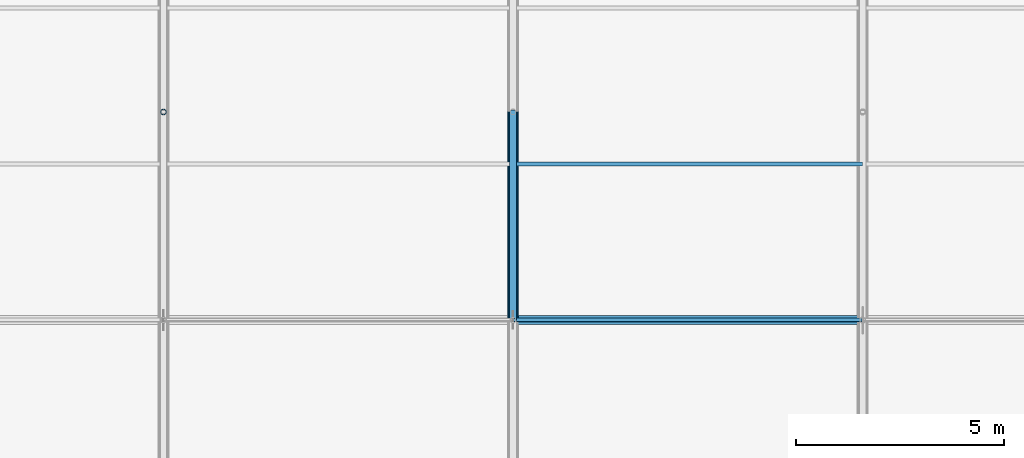
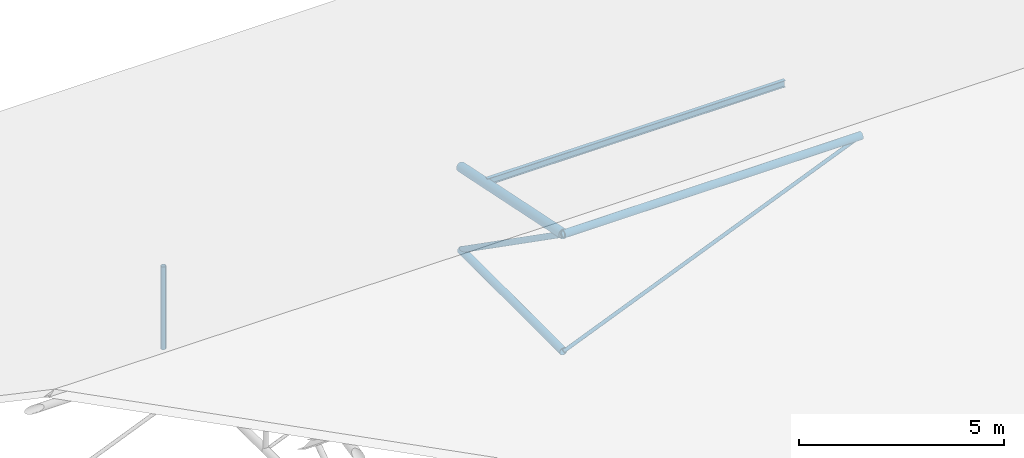
# One storey, part 60 of 194: 6 members, 1 beam.
"""IFC4 building model written with IfcOpenShell, lengths in metres."""

from ifc_helpers import new_model, si_unit, direction, frame, origin, origin_2d, place, context, subcontext, project, spatial, hollow_circle, i_section, extrude, material, material_profile, profile_set, type_object, element, save


model = new_model("IFC4")

# Units and contexts
model_context = context("Model", 3, precision=1e-05, world=origin(), true_north=direction((0.0, 1.0)))
body_context = subcontext(model_context, "Body", "Model", "MODEL_VIEW")
ifc_project = project(units=[si_unit("LENGTHUNIT", "METRE"), si_unit("AREAUNIT", "SQUARE_METRE"), si_unit("VOLUMEUNIT", "CUBIC_METRE"), si_unit("PLANEANGLEUNIT", "RADIAN"), si_unit("MASSUNIT", "GRAM", prefix="KILO")], contexts=[model_context])

# Site, building, storey
site_placement = place(None, origin())
site = spatial("IfcSite", under=ifc_project, at=site_placement, CompositionType="ELEMENT")
building_placement = place(site_placement, origin())
building = spatial("IfcBuilding", under=site, at=building_placement, Name="Kazenagashi Tramway Depot", CompositionType="ELEMENT")
storey_placement = place(building_placement, frame((0.0, 0.0, 23.7)))
storey = spatial("IfcBuildingStorey", under=building, at=storey_placement, Name="ROOF", CompositionType="ELEMENT", Elevation=23.7)

# Beam
ifc_material_1 = material(Name="Steel SN400B", Category="steel")
ifc_material_profile_1 = material_profile(ifc_material_1, i_section(OverallWidth=0.1, OverallDepth=0.2, WebThickness=0.0055, FlangeThickness=0.008, at=origin_2d()), Name="H-200x100x5.5x8")
ifc_profile_set_1 = profile_set([ifc_material_profile_1], Name="Steel SN400B")
beam_type = type_object("IfcBeamType", Name="PR-01", PredefinedType="USERDEFINED", material=ifc_profile_set_1)
beam_placement = place(storey_placement, frame((120.4, 118.75, -11.305), z_axis=(1.0, 0.0, 0.0), x_axis=(0.0, 1.0, 0.0)))
element("IfcBeam", 1, at=beam_placement, inside=storey, type_object=beam_type, Name="Beam PR-01 BM-2189", ObjectType="PURLIN", PredefinedType="USERDEFINED", context=body_context, shape_type="SweptSolid", body=[
    extrude(i_section(OverallWidth=0.1, OverallDepth=0.2, WebThickness=0.0055, FlangeThickness=0.008, at=origin_2d()), origin(), (0.0, 0.0, 1.0), 8.4),
])

# Members
ifc_material_2 = material(Name="Steel STK490", Category="steel")
ifc_material_profile_2 = material_profile(ifc_material_2, hollow_circle(Radius=0.1337, WallThickness=0.0093, at=origin_2d()), Name="CHS-267.4x9.3")
ifc_profile_set_2 = profile_set([ifc_material_profile_2], Name="Steel STK490")
member_type_1 = type_object("IfcMemberType", Name="TC-01", PredefinedType="CHORD", material=ifc_profile_set_2)
member_1_placement = place(storey_placement, frame((120.4, 115.0, -10.6), z_axis=(0.0, 0.979317999984, -0.202327098797), x_axis=(-1.0, 0.0, 0.0)))
element("IfcMember", 2, at=member_1_placement, inside=storey, type_object=member_type_1, Name="Tubular Space Frame TC-01 MEM-0590", PredefinedType="CHORD", context=body_context, shape_type="SweptSolid", body=[
    extrude(hollow_circle(Radius=0.1337, WallThickness=0.0093, at=origin_2d()), origin(), (0.0, 0.0, 1.0), 5.105594),
])
ifc_material_profile_3 = material_profile(ifc_material_2, hollow_circle(Radius=0.10815, WallThickness=0.0082, at=origin_2d()), Name="CHS-216.3x8.2")
ifc_profile_set_3 = profile_set([ifc_material_profile_3], Name="Steel STK490")
member_type_2 = type_object("IfcMemberType", Name="TC-02", PredefinedType="CHORD", material=ifc_profile_set_3)
member_2_placement = place(storey_placement, frame((120.4, 115.0, -14.1), z_axis=(0.0, 1.0, 0.0), x_axis=(-1.0, 0.0, 0.0)))
element("IfcMember", 3, at=member_2_placement, inside=storey, type_object=member_type_2, Name="Tubular Space Frame TC-02 MEM-0591", PredefinedType="CHORD", context=body_context, shape_type="SweptSolid", body=[
    extrude(hollow_circle(Radius=0.10815, WallThickness=0.0082, at=origin_2d()), origin(), (0.0, 0.0, 1.0), 5.0),
])
member_3_placement = place(storey_placement, frame((120.4, 115.0, -10.6), z_axis=(1.0, 0.0, 0.0), x_axis=(0.0, 1.0, 0.0)))
element("IfcMember", 4, at=member_3_placement, inside=storey, type_object=member_type_2, Name="Tubular Space Frame TC-02 MEM-0607", PredefinedType="CHORD", context=body_context, shape_type="SweptSolid", body=[
    extrude(hollow_circle(Radius=0.10815, WallThickness=0.0082, at=origin_2d()), origin(), (0.0, 0.0, 1.0), 8.4),
])
ifc_material_profile_4 = material_profile(ifc_material_2, hollow_circle(Radius=0.0826, WallThickness=0.0071, at=origin_2d()), Name="CHS-165.2x7.1")
ifc_profile_set_4 = profile_set([ifc_material_profile_4], Name="Steel STK490")
member_type_3 = type_object("IfcMemberType", Name="TS-01", PredefinedType="STRUT", material=ifc_profile_set_4)
member_4_placement = place(storey_placement, frame((120.4, 115.0, -10.6), z_axis=(0.0, 0.819231920519, -0.573462344363), x_axis=(-1.0, 0.0, 0.0)))
element("IfcMember", 5, at=member_4_placement, inside=storey, type_object=member_type_3, Name="Tubular Space Frame TS-01 MEM-0592", PredefinedType="STRUT", context=body_context, shape_type="SweptSolid", body=[
    extrude(hollow_circle(Radius=0.0826, WallThickness=0.0071, at=origin_2d()), origin(), (0.0, 0.0, 1.0), 6.103278),
])
ifc_material_profile_5 = material_profile(ifc_material_2, hollow_circle(Radius=0.0699, WallThickness=0.0066, at=origin_2d()), Name="CHS-139.8x6.6")
ifc_profile_set_5 = profile_set([ifc_material_profile_5], Name="Steel STK490")
member_type_4 = type_object("IfcMemberType", Name="TS-02", PredefinedType="STRUT", material=ifc_profile_set_5)
member_5_placement = place(storey_placement, frame((112.0, 120.0, -14.1), z_axis=(0.0, 0.0, 1.0), x_axis=(1.0, 0.0, 0.0)))
element("IfcMember", 6, at=member_5_placement, inside=storey, type_object=member_type_4, Name="Tubular Space Frame TS-02 MEM-0541", PredefinedType="STRUT", context=body_context, shape_type="SweptSolid", body=[
    extrude(hollow_circle(Radius=0.0699, WallThickness=0.0066, at=origin_2d()), origin(), (0.0, 0.0, 1.0), 2.467),
])
ifc_material_3 = material(Name="Steel STK400", Category="steel")
ifc_material_profile_6 = material_profile(ifc_material_3, hollow_circle(Radius=0.0508, WallThickness=0.0042, at=origin_2d()), Name="CHS-101.6x4.2")
ifc_profile_set_6 = profile_set([ifc_material_profile_6], Name="Steel STK400")
member_type_5 = type_object("IfcMemberType", Name="TS-06", PredefinedType="STRUT", material=ifc_profile_set_6)
member_6_placement = place(storey_placement, frame((120.4, 115.0, -14.1), z_axis=(0.923076923077, 0.0, 0.384615384615), x_axis=(0.0, 1.0, 0.0)))
element("IfcMember", 7, at=member_6_placement, inside=storey, type_object=member_type_5, Name="Tubular Space Frame TS-06 MEM-0608", PredefinedType="STRUT", context=body_context, shape_type="SweptSolid", body=[
    extrude(hollow_circle(Radius=0.0508, WallThickness=0.0042, at=origin_2d()), origin(), (0.0, 0.0, 1.0), 9.1),
])

save(model, "model.ifc")
